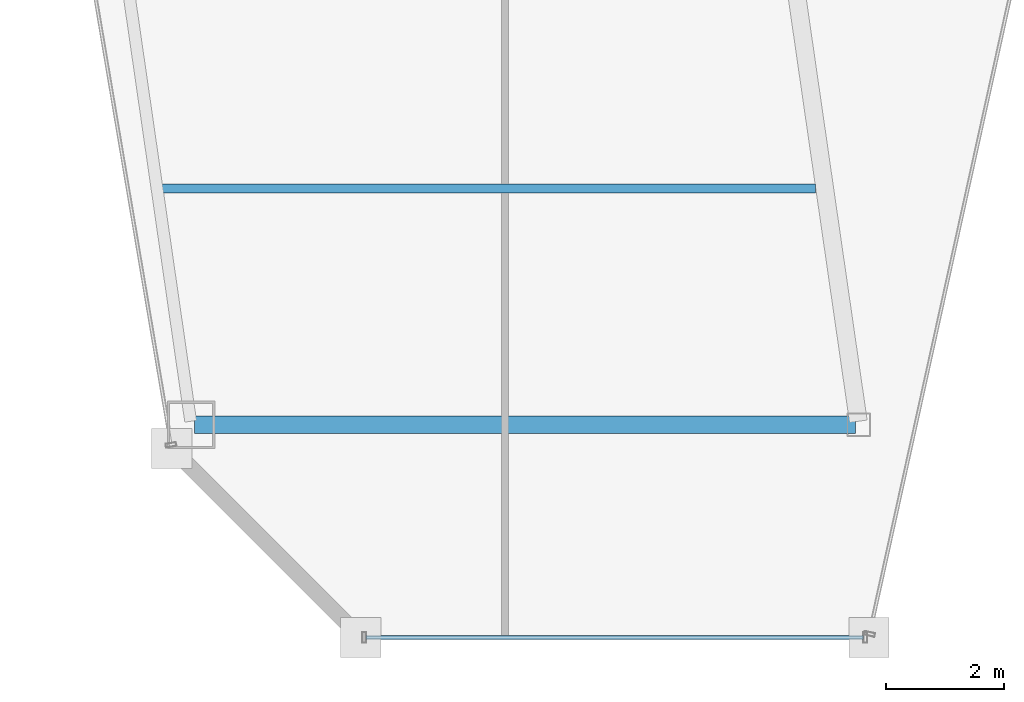
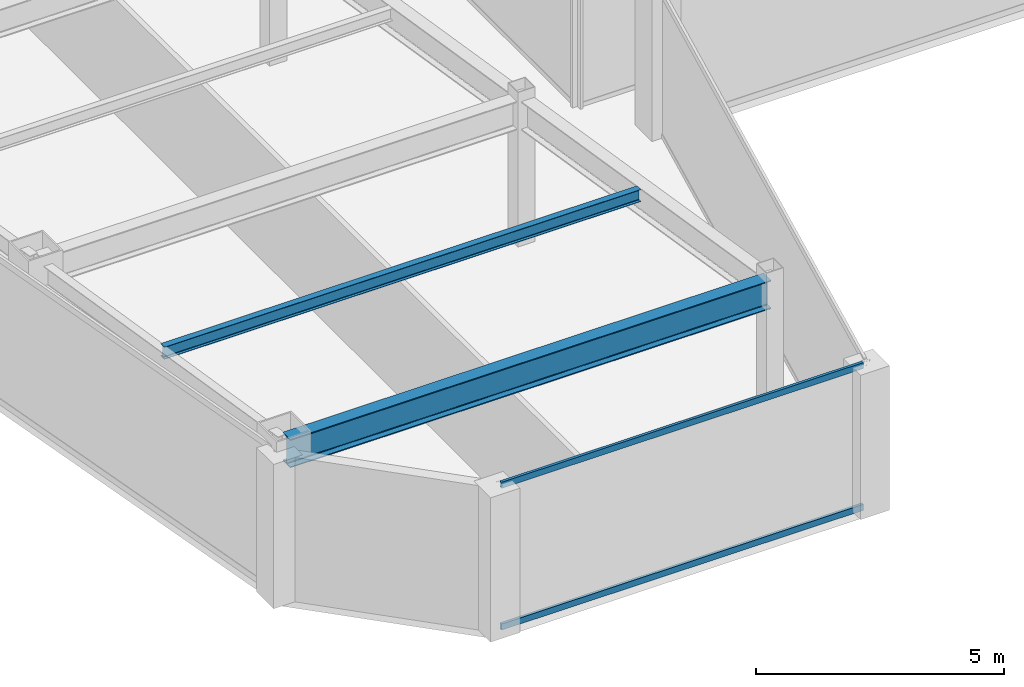
# One storey, part 4 of 35: 2 beams, 2 members, 1 element without a shape of its own.
"""IFC4 building model written with IfcOpenShell, lengths in metres."""

from ifc_helpers import new_model, si_unit, direction, frame, origin, origin_2d, place, context, subcontext, project, spatial, hollow_rectangle, i_section, extrude, material, material_profile, profile_set, type_object, element, aggregate, save


model = new_model("IFC4")

# Units and contexts
model_context = context("Model", 3, precision=1e-05, world=origin(), true_north=direction((0.0, 1.0)))
body_context = subcontext(model_context, "Body", "Model", "MODEL_VIEW")
ifc_project = project(units=[si_unit("LENGTHUNIT", "METRE"), si_unit("AREAUNIT", "SQUARE_METRE"), si_unit("VOLUMEUNIT", "CUBIC_METRE"), si_unit("PLANEANGLEUNIT", "RADIAN"), si_unit("MASSUNIT", "GRAM", prefix="KILO")], contexts=[model_context])

# Site, building, storey
site_placement = place(None, origin())
site = spatial("IfcSite", under=ifc_project, at=site_placement, CompositionType="ELEMENT")
building_placement = place(site_placement, origin())
building = spatial("IfcBuilding", under=site, at=building_placement, Name="Saevonmaru Cultural Tower", CompositionType="ELEMENT")
storey_placement = place(building_placement, frame((0.0, 0.0, 217.0)))
storey = spatial("IfcBuildingStorey", under=building, at=storey_placement, Name="L50", CompositionType="ELEMENT", Elevation=217.0)

# Beams
ifc_material_1 = material(Name="Steel SM355", Category="steel")
ifc_material_profile_1 = material_profile(ifc_material_1, i_section(OverallWidth=0.300048828125, OverallDepth=0.699951171875, WebThickness=0.012939453125, FlangeThickness=0.02392578125, FilletRadius=0.02587890625, at=origin_2d()), Name="H-700x300x13x24")
ifc_profile_set_1 = profile_set([ifc_material_profile_1], Name="Steel SM355")
beam_type_1 = type_object("IfcBeamType", Name="BM-G-H700", PredefinedType="BEAM", material=ifc_profile_set_1)
beam_1_placement = place(storey_placement, frame((10.68798828125, 16.0, 3.199951171875), z_axis=(1.0, 0.0, 0.0), x_axis=(0.0, 1.0, 0.0)))
element("IfcBeam", 1, at=beam_1_placement, inside=storey, type_object=beam_type_1, Name="L50 West Wing Transverse Girder 1", PredefinedType="BEAM", context=body_context, shape_type="SweptSolid", body=[
    extrude(i_section(OverallWidth=0.300048828125, OverallDepth=0.699951171875, WebThickness=0.012939453125, FlangeThickness=0.02392578125, FilletRadius=0.02587890625, at=origin_2d()), origin(), (0.0, 0.0, 1.0), 11.179931640625),
])
ifc_material_profile_2 = material_profile(ifc_material_1, i_section(OverallWidth=0.14990234375, OverallDepth=0.300048828125, WebThickness=0.006591796875, FlangeThickness=0.009033203125, FilletRadius=0.012939453125, at=origin_2d()), Name="H-300x150x6.5x9")
ifc_profile_set_2 = profile_set([ifc_material_profile_2], Name="Steel SM355")
beam_type_2 = type_object("IfcBeamType", Name="BM-J-H300", PredefinedType="JOIST", material=ifc_profile_set_2)
beam_2_placement = place(storey_placement, frame((10.110107421875, 20.0, 3.39990234375), z_axis=(1.0, 0.0, 0.0), x_axis=(0.0, 1.0, 0.0)))
element("IfcBeam", 2, at=beam_2_placement, inside=storey, type_object=beam_type_2, Name="L50 West Wing Floor Joist 1", PredefinedType="JOIST", context=body_context, shape_type="SweptSolid", body=[
    extrude(i_section(OverallWidth=0.14990234375, OverallDepth=0.300048828125, WebThickness=0.006591796875, FlangeThickness=0.009033203125, FilletRadius=0.012939453125, at=origin_2d()), origin(), (0.0, 0.0, 1.0), 11.081787109375),
])

# Curtain wall, members
ifc_material_2 = material(Name="Satin Bronze Anodised Aluminium", Category="aluminium")
curtain_wall_type = type_object("IfcCurtainWallType", Name="CW-TYP-B", PredefinedType="NOTDEFINED", material=ifc_material_2)
curtain_wall_placement = place(storey_placement, origin())
curtain_wall = element("IfcCurtainWall", 3, at=curtain_wall_placement, inside=storey, type_object=curtain_wall_type, Name="L50 Unitised Curtain Wall E2", PredefinedType="NOTDEFINED")
ifc_material_profile_3 = material_profile(ifc_material_2, hollow_rectangle(XDim=0.06494140625, YDim=0.14990234375, WallThickness=0.00390625, at=origin_2d()), Name="ALU-TRAN-150x65x4")
ifc_profile_set_3 = profile_set([ifc_material_profile_3], Name="Satin Bronze Anodised Aluminium")
member_type = type_object("IfcMemberType", Name="TR-CW-150x65", PredefinedType="USERDEFINED", material=ifc_profile_set_3)
member_1_placement = place(storey_placement, frame((13.59033203125, 12.39990234375, 0.032470703125), z_axis=(1.0, 0.0, 0.0), x_axis=(0.0, 1.0, 0.0)))
member_1 = element("IfcMember", 4, at=member_1_placement, type_object=member_type, Name="CW-TW-L50-E2 transom 1.1", ObjectType="TRANSOM", PredefinedType="USERDEFINED", context=body_context, shape_type="SweptSolid", body=[
    extrude(hollow_rectangle(XDim=0.06494140625, YDim=0.14990234375, WallThickness=0.00390625, at=origin_2d()), origin(), (0.0, 0.0, 1.0), 8.4150390625),
])
member_2_placement = place(storey_placement, frame((13.59033203125, 12.39990234375, 3.517578125), z_axis=(1.0, 0.0, 0.0), x_axis=(0.0, 1.0, 0.0)))
member_2 = element("IfcMember", 5, at=member_2_placement, type_object=member_type, Name="CW-TW-L50-E2 transom 1.2", ObjectType="TRANSOM", PredefinedType="USERDEFINED", context=body_context, shape_type="SweptSolid", body=[
    extrude(hollow_rectangle(XDim=0.06494140625, YDim=0.14990234375, WallThickness=0.00390625, at=origin_2d()), origin(), (0.0, 0.0, 1.0), 8.4150390625),
])
aggregate(curtain_wall, [member_1, member_2])

save(model, "model.ifc")
